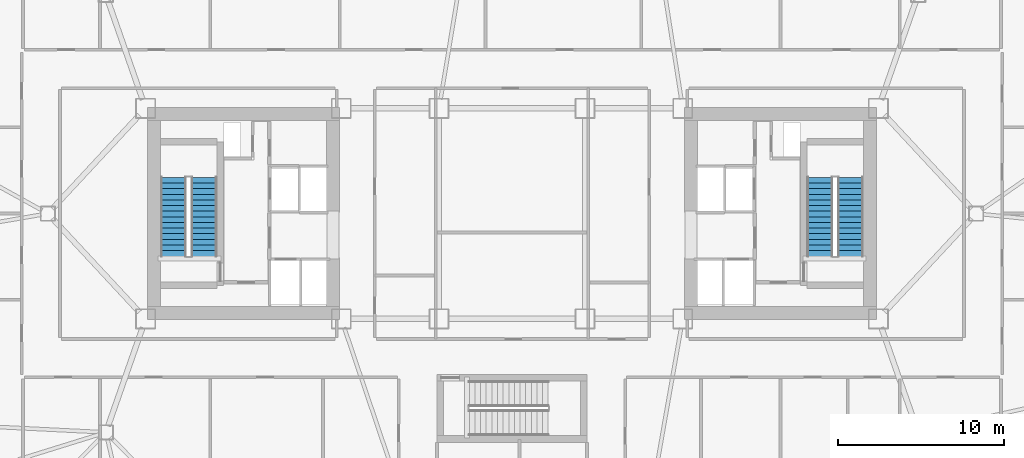
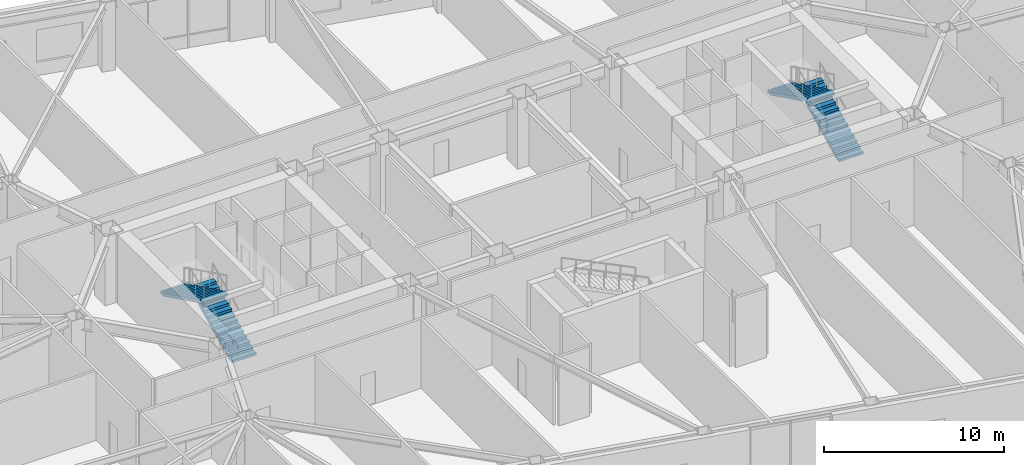
# One storey, part 14 of 20: 4 stair flights, 2 elements without a shape of their own.
"""IFC4 building model written with IfcOpenShell, lengths in metres."""

from ifc_helpers import new_model, si_unit, direction, frame, origin, place, context, subcontext, project, spatial, polyline, outline, extrude, material, type_object, element, aggregate, save


model = new_model("IFC4")

# Units and contexts
model_context = context("Model", 3, precision=1e-05, world=origin(), true_north=direction((0.0, 1.0)))
body_context = subcontext(model_context, "Body", "Model", "MODEL_VIEW")
ifc_project = project(units=[si_unit("LENGTHUNIT", "METRE"), si_unit("AREAUNIT", "SQUARE_METRE"), si_unit("VOLUMEUNIT", "CUBIC_METRE"), si_unit("PLANEANGLEUNIT", "RADIAN"), si_unit("MASSUNIT", "GRAM", prefix="KILO")], contexts=[model_context])

# Site, building, storey
site_placement = place(None, origin())
site = spatial("IfcSite", under=ifc_project, at=site_placement, CompositionType="ELEMENT")
building_placement = place(site_placement, origin())
building = spatial("IfcBuilding", under=site, at=building_placement, Name="Tavrogorsk Clinical Tower", CompositionType="ELEMENT")
storey_placement = place(building_placement, frame((0.0, 0.0, 13.39990234375)))
storey = spatial("IfcBuildingStorey", under=building, at=storey_placement, Name="L02", CompositionType="ELEMENT", Elevation=13.39990234375)

# Stair, stair flights
ifc_material_1 = material(Name="Concrete B60", Category="concrete")
stair_type = type_object("IfcStairType", Name="CoreStairAssembly", PredefinedType="HALF_TURN_STAIR", material=ifc_material_1)
stair_1_placement = place(storey_placement, origin())
stair_1 = element("IfcStair", 1, at=stair_1_placement, inside=storey, type_object=stair_type, Name="L02 ST-W", PredefinedType="HALF_TURN_STAIR")
ifc_material_2 = material(Name="Concrete B60", Category="concrete")
stair_flight_type = type_object("IfcStairFlightType", Name="CoreStairFlight", PredefinedType="STRAIGHT", material=ifc_material_2)
stair_flight_1_placement = place(storey_placement, frame((-18.574951171875, -2.574951171875, 0.0), z_axis=(0.0, 0.0, 1.0), x_axis=(0.0, 1.0, 0.0)))
stair_flight_1 = element("IfcStairFlight", 2, at=stair_flight_1_placement, type_object=stair_flight_type, Name="ST-W flight 1", NumberOfRisers=15, NumberOfTreads=14, PredefinedType="STRAIGHT", RiserHeight=0.166666667, TreadLength=0.34, context=body_context, shape_type="SweptSolid", body=[
    extrude(outline(polyline([(0.0, 0.0), (0.0, 0.166748046875), (0.340087890625, 0.166748046875), (0.340087890625, 0.333251953125), (0.679931640625, 0.333251953125), (0.679931640625, 0.5), (1.02001953125, 0.5), (1.02001953125, 0.666748046875), (1.360107421875, 0.666748046875), (1.360107421875, 0.833251953125), (1.699951171875, 0.833251953125), (1.699951171875, 1.0), (2.0400390625, 1.0), (2.0400390625, 1.166748046875), (2.3798828125, 1.166748046875), (2.3798828125, 1.333251953125), (2.719970703125, 1.333251953125), (2.719970703125, 1.5), (3.06005859375, 1.5), (3.06005859375, 1.666748046875), (3.39990234375, 1.666748046875), (3.39990234375, 1.833251953125), (3.739990234375, 1.833251953125), (3.739990234375, 2.0), (4.080078125, 2.0), (4.080078125, 2.166748046875), (4.419921875, 2.166748046875), (4.419921875, 2.333251953125), (4.760009765625, 2.333251953125), (4.760009765625, 2.5), (4.760009765625, 2.16650390625), (0.340576171875, 0.0), (0.0, 0.0)])), frame((0.0, 0.77490234375, 0.0), z_axis=(0.0, -1.0, 0.0), x_axis=(1.0, 0.0, 0.0)), (0.0, 0.0, 1.0), 1.550048828125),
])
stair_flight_2_placement = place(storey_placement, frame((-20.425048828125, 2.18505859375, 2.5), z_axis=(0.0, 0.0, 1.0), x_axis=(0.0, -1.0, 0.0)))
stair_flight_2 = element("IfcStairFlight", 3, at=stair_flight_2_placement, type_object=stair_flight_type, Name="ST-W flight 2", NumberOfRisers=15, NumberOfTreads=14, PredefinedType="STRAIGHT", RiserHeight=0.166666667, TreadLength=0.34, context=body_context, shape_type="SweptSolid", body=[
    extrude(outline(polyline([(0.0, 0.0), (0.0, 0.166748046875), (0.340087890625, 0.166748046875), (0.340087890625, 0.333251953125), (0.679931640625, 0.333251953125), (0.679931640625, 0.5), (1.02001953125, 0.5), (1.02001953125, 0.666748046875), (1.360107421875, 0.666748046875), (1.360107421875, 0.833251953125), (1.699951171875, 0.833251953125), (1.699951171875, 1.0), (2.0400390625, 1.0), (2.0400390625, 1.166748046875), (2.3798828125, 1.166748046875), (2.3798828125, 1.333251953125), (2.719970703125, 1.333251953125), (2.719970703125, 1.5), (3.06005859375, 1.5), (3.06005859375, 1.666748046875), (3.39990234375, 1.666748046875), (3.39990234375, 1.833251953125), (3.739990234375, 1.833251953125), (3.739990234375, 2.0), (4.080078125, 2.0), (4.080078125, 2.166748046875), (4.419921875, 2.166748046875), (4.419921875, 2.333251953125), (4.760009765625, 2.333251953125), (4.760009765625, 2.5), (4.760009765625, 2.16650390625), (0.340576171875, 0.0), (0.0, 0.0)])), frame((0.0, 0.77490234375, 0.0), z_axis=(0.0, -1.0, 0.0), x_axis=(1.0, 0.0, 0.0)), (0.0, 0.0, 1.0), 1.550048828125),
])
aggregate(stair_1, [stair_flight_1, stair_flight_2])

stair_2_placement = place(storey_placement, origin())
stair_2 = element("IfcStair", 4, at=stair_2_placement, inside=storey, type_object=stair_type, Name="L02 ST-E", PredefinedType="HALF_TURN_STAIR")
stair_flight_3_placement = place(storey_placement, frame((20.425048828125, -2.574951171875, 0.0), z_axis=(0.0, 0.0, 1.0), x_axis=(0.0, 1.0, 0.0)))
stair_flight_3 = element("IfcStairFlight", 5, at=stair_flight_3_placement, type_object=stair_flight_type, Name="ST-E flight 1", NumberOfRisers=15, NumberOfTreads=14, PredefinedType="STRAIGHT", RiserHeight=0.166666667, TreadLength=0.34, context=body_context, shape_type="SweptSolid", body=[
    extrude(outline(polyline([(0.0, 0.0), (0.0, 0.166748046875), (0.340087890625, 0.166748046875), (0.340087890625, 0.333251953125), (0.679931640625, 0.333251953125), (0.679931640625, 0.5), (1.02001953125, 0.5), (1.02001953125, 0.666748046875), (1.360107421875, 0.666748046875), (1.360107421875, 0.833251953125), (1.699951171875, 0.833251953125), (1.699951171875, 1.0), (2.0400390625, 1.0), (2.0400390625, 1.166748046875), (2.3798828125, 1.166748046875), (2.3798828125, 1.333251953125), (2.719970703125, 1.333251953125), (2.719970703125, 1.5), (3.06005859375, 1.5), (3.06005859375, 1.666748046875), (3.39990234375, 1.666748046875), (3.39990234375, 1.833251953125), (3.739990234375, 1.833251953125), (3.739990234375, 2.0), (4.080078125, 2.0), (4.080078125, 2.166748046875), (4.419921875, 2.166748046875), (4.419921875, 2.333251953125), (4.760009765625, 2.333251953125), (4.760009765625, 2.5), (4.760009765625, 2.16650390625), (0.340576171875, 0.0), (0.0, 0.0)])), frame((0.0, 0.77490234375, 0.0), z_axis=(0.0, -1.0, 0.0), x_axis=(1.0, 0.0, 0.0)), (0.0, 0.0, 1.0), 1.550048828125),
])
stair_flight_4_placement = place(storey_placement, frame((18.574951171875, 2.18505859375, 2.5), z_axis=(0.0, 0.0, 1.0), x_axis=(0.0, -1.0, 0.0)))
stair_flight_4 = element("IfcStairFlight", 6, at=stair_flight_4_placement, type_object=stair_flight_type, Name="ST-E flight 2", NumberOfRisers=15, NumberOfTreads=14, PredefinedType="STRAIGHT", RiserHeight=0.166666667, TreadLength=0.34, context=body_context, shape_type="SweptSolid", body=[
    extrude(outline(polyline([(0.0, 0.0), (0.0, 0.166748046875), (0.340087890625, 0.166748046875), (0.340087890625, 0.333251953125), (0.679931640625, 0.333251953125), (0.679931640625, 0.5), (1.02001953125, 0.5), (1.02001953125, 0.666748046875), (1.360107421875, 0.666748046875), (1.360107421875, 0.833251953125), (1.699951171875, 0.833251953125), (1.699951171875, 1.0), (2.0400390625, 1.0), (2.0400390625, 1.166748046875), (2.3798828125, 1.166748046875), (2.3798828125, 1.333251953125), (2.719970703125, 1.333251953125), (2.719970703125, 1.5), (3.06005859375, 1.5), (3.06005859375, 1.666748046875), (3.39990234375, 1.666748046875), (3.39990234375, 1.833251953125), (3.739990234375, 1.833251953125), (3.739990234375, 2.0), (4.080078125, 2.0), (4.080078125, 2.166748046875), (4.419921875, 2.166748046875), (4.419921875, 2.333251953125), (4.760009765625, 2.333251953125), (4.760009765625, 2.5), (4.760009765625, 2.16650390625), (0.340576171875, 0.0), (0.0, 0.0)])), frame((0.0, 0.77490234375, 0.0), z_axis=(0.0, -1.0, 0.0), x_axis=(1.0, 0.0, 0.0)), (0.0, 0.0, 1.0), 1.550048828125),
])
aggregate(stair_2, [stair_flight_3, stair_flight_4])

save(model, "model.ifc")
